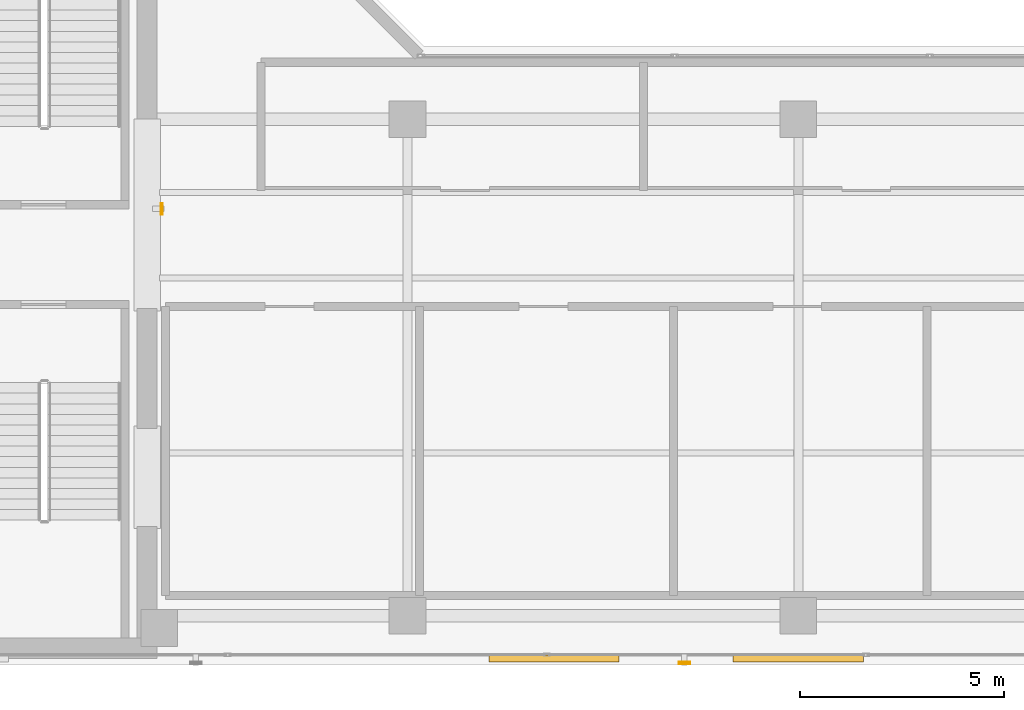
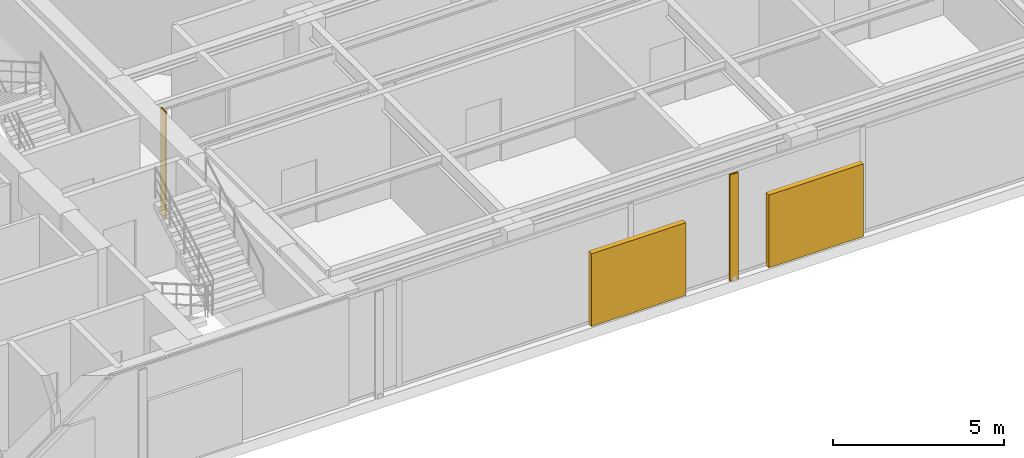
# One storey, part 23 of 24: 4 shading devices.
"""IFC4 building model written with IfcOpenShell, lengths in metres."""

from ifc_helpers import new_model, si_unit, direction, frame, origin, origin_with_axes, origin_2d, place, context, subcontext, project, spatial, rectangle, hollow_rectangle, extrude, source, transform, mapped, material, material_profile, profile_set, type_object, element, save


model = new_model("IFC4")

# Units and contexts
model_context = context("Model", 3, precision=1e-05, world=origin(), true_north=direction((0.0, 1.0)))
body_context = subcontext(model_context, "Body", "Model", "MODEL_VIEW")
ifc_project = project(units=[si_unit("LENGTHUNIT", "METRE"), si_unit("AREAUNIT", "SQUARE_METRE"), si_unit("VOLUMEUNIT", "CUBIC_METRE"), si_unit("PLANEANGLEUNIT", "RADIAN"), si_unit("MASSUNIT", "GRAM", prefix="KILO")], contexts=[model_context])

# Site, building, storey
site_placement = place(None, origin())
site = spatial("IfcSite", under=ifc_project, at=site_placement, CompositionType="ELEMENT")
building_placement = place(site_placement, origin())
building = spatial("IfcBuilding", under=site, at=building_placement, Name="Kolvaren Waterfront Exchange", CompositionType="ELEMENT")
storey_placement = place(building_placement, frame((0.0, 0.0, 356.199951171875)))
storey = spatial("IfcBuildingStorey", under=building, at=storey_placement, Name="L91", CompositionType="ELEMENT", Elevation=356.199951171875)

# Shading devices
ifc_material = material(Name="Anodised bronze aluminium 6063-T6", Category="aluminium")
ifc_material_profile = material_profile(ifc_material, hollow_rectangle(XDim=0.054931640625, YDim=0.280029296875, WallThickness=0.00439453125, at=origin_2d()), Name="BRZ-FIN-280x55x4.5")
ifc_profile_set = profile_set([ifc_material_profile], Name="Anodised bronze aluminium 6063-T6")
shading_device_type_1 = type_object("IfcShadingDeviceType", Name="ARC-FIN-280", PredefinedType="USERDEFINED", material=ifc_profile_set)
for number, where, z_axis, x_axis, name in (
    (1, (34.0, 4.0400390625, 0.0), (0.0, 0.0, 1.0), (0.0, -1.0, 0.0), "L91 anodised bronze solar shading fin FIN-L91-S3"),
    (2, (21.159912109375, 15.199951171875, 0.0), (0.0, 0.0, 1.0), (1.0, 0.0, 0.0), "L91 anodised bronze solar shading fin FIN-L91-E1"),
):
    element("IfcShadingDevice", number, at=place(storey_placement, frame(where, z_axis=z_axis, x_axis=x_axis)), inside=storey, type_object=shading_device_type_1, Name=name, ObjectType="SOLAR FIN", PredefinedType="USERDEFINED", context=body_context, shape_type="SweptSolid", body=[
        extrude(hollow_rectangle(XDim=0.054931640625, YDim=0.280029296875, WallThickness=0.00439453125, at=origin_2d()), origin(), (0.0, 0.0, 1.0), 3.820068359375),
    ])
shading_device_type_2 = type_object("IfcShadingDeviceType", Name="ARC-SHD-LOUVRE", PredefinedType="USERDEFINED", material=ifc_material)
shared_shape = source(origin_with_axes(), body_context, "Body", "SweptSolid", [
    extrude(rectangle(XDim=3.199951171875, YDim=0.179931640625, at=origin_2d()), origin(), (0.0, 0.0, 1.0), 2.60009765625),
])
for number, where, z_axis, x_axis, name in (
    (3, (30.800048828125, 4.14990234375, 0.0), (0.0, 0.0, 1.0), (1.0, 0.0, 0.0), "L91 acoustic weather intake louvre 3"),
    (4, (36.800048828125, 4.14990234375, 0.0), (0.0, 0.0, 1.0), (1.0, 0.0, 0.0), "L91 acoustic weather intake louvre 4"),
):
    element("IfcShadingDevice", number, at=place(storey_placement, frame(where, z_axis=z_axis, x_axis=x_axis)), inside=storey, type_object=shading_device_type_2, Name=name, ObjectType="LOUVRE", PredefinedType="USERDEFINED", context=body_context, shape_type="MappedRepresentation", body=[
        mapped(shared_shape, transform((0.0, 0.0, 0.0), x_axis=(1.0, 0.0, 0.0), y_axis=(0.0, 1.0, 0.0), z_axis=(0.0, 0.0, 1.0), scale=1.0)),
    ])

save(model, "model.ifc")
